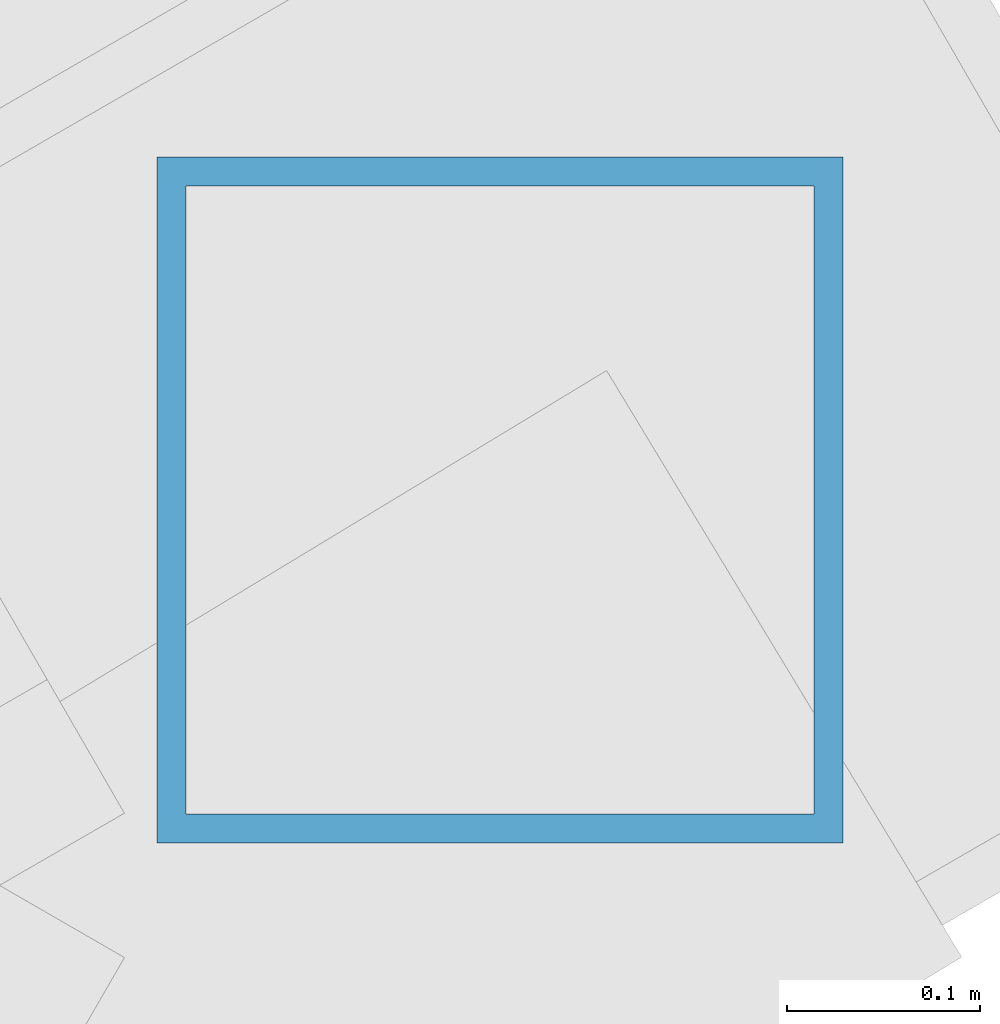
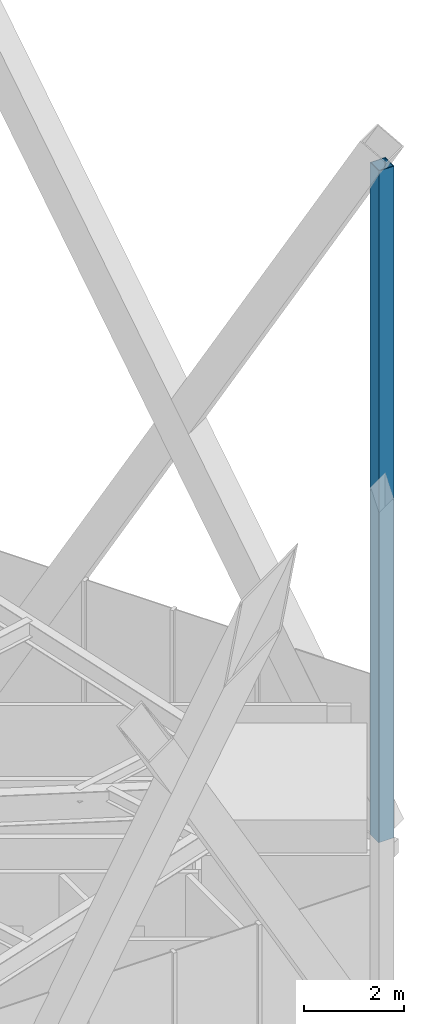
# One storey, part 12 of 21: 1 member.
"""IFC4 building model written with IfcOpenShell, lengths in metres."""

from ifc_helpers import new_model, si_unit, direction, frame, origin, origin_2d, place, context, subcontext, project, spatial, hollow_rectangle, extrude, material, material_profile, profile_set, type_object, element, save


model = new_model("IFC4")

# Units and contexts
model_context = context("Model", 3, precision=1e-05, world=origin(), true_north=direction((0.0, 1.0)))
body_context = subcontext(model_context, "Body", "Model", "MODEL_VIEW")
ifc_project = project(units=[si_unit("LENGTHUNIT", "METRE"), si_unit("AREAUNIT", "SQUARE_METRE"), si_unit("VOLUMEUNIT", "CUBIC_METRE"), si_unit("PLANEANGLEUNIT", "RADIAN"), si_unit("MASSUNIT", "GRAM", prefix="KILO")], contexts=[model_context])

# Site, building, storey
site_placement = place(None, origin())
site = spatial("IfcSite", under=ifc_project, at=site_placement, CompositionType="ELEMENT")
building_placement = place(site_placement, origin())
building = spatial("IfcBuilding", under=site, at=building_placement, Name="Firuza Gate Tower and Library", CompositionType="ELEMENT")
storey_placement = place(building_placement, frame((0.0, 0.0, 107.199951171875)))
storey = spatial("IfcBuildingStorey", under=building, at=storey_placement, Name="L24", CompositionType="ELEMENT", Elevation=107.199951171875)

# Member
ifc_material = material(Name="Steel S355", Category="steel")
ifc_material_profile = material_profile(ifc_material, hollow_rectangle(XDim=0.355712890625, YDim=0.355712890625, WallThickness=0.014892578125, at=origin_2d()))
ifc_profile_set = profile_set([ifc_material_profile], Name="Steel S355")
member_type = type_object("IfcMemberType", Name="HSS356x356x16 Lattice corner stile", PredefinedType="BRACE", material=ifc_profile_set)
member_placement = place(storey_placement, frame((107.009033203125, 61.076416015625, -0.139892578125), z_axis=(0.0, 0.0, 1.0), x_axis=(1.0, 0.0, 0.0)))
element("IfcMember", 1, at=member_placement, inside=storey, type_object=member_type, Name="Lattice corner stile E 5.A", PredefinedType="BRACE", context=body_context, shape_type="SweptSolid", body=[
    extrude(hollow_rectangle(XDim=0.355712890625, YDim=0.355712890625, WallThickness=0.014892578125, at=origin_2d()), origin(), (0.0, 0.0, 1.0), 16.43994140625),
])

save(model, "model.ifc")
